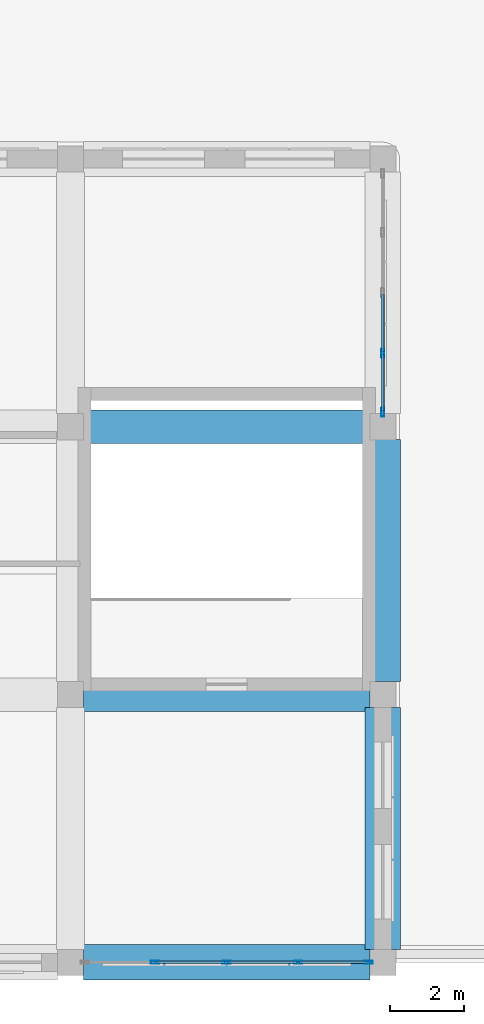
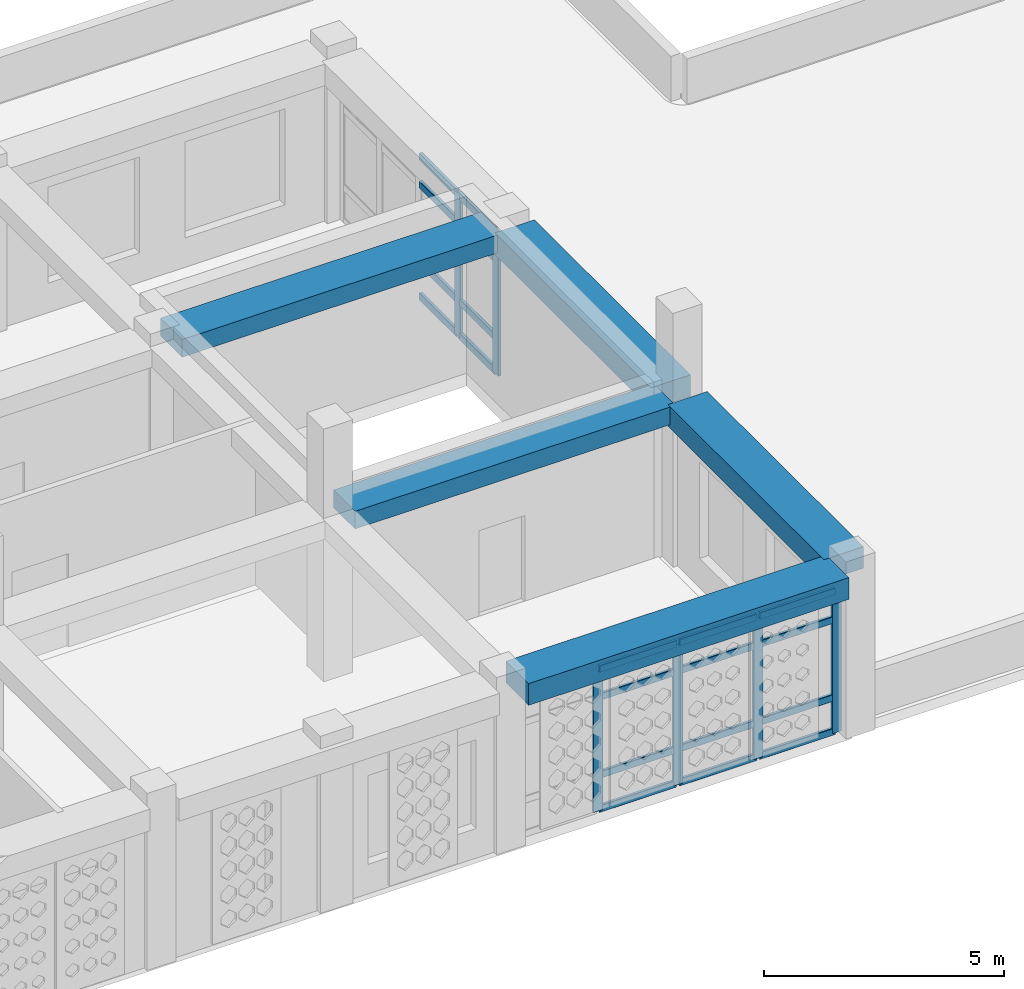
# One storey, part 38 of 100: 26 members, 5 beams, 2 elements without a shape of their own.
"""IFC4 building model written with IfcOpenShell, lengths in metres."""

from ifc_helpers import new_model, si_unit, derived_unit, direction, frame, origin, origin_2d, place, context, subcontext, project, spatial, rectangle, hollow_rectangle, extrude, material, material_profile, profile_set, type_object, element, aggregate, save


model = new_model("IFC4")

# Units and contexts
model_context = context("Model", 3, precision=1e-05, world=origin(), true_north=direction((0.0, 1.0)))
body_context = subcontext(model_context, "Body", "Model", "MODEL_VIEW")
ifc_project = project(units=[si_unit("LENGTHUNIT", "METRE"), si_unit("AREAUNIT", "SQUARE_METRE"), si_unit("VOLUMEUNIT", "CUBIC_METRE"), si_unit("PLANEANGLEUNIT", "RADIAN"), si_unit("MASSUNIT", "GRAM", prefix="KILO"), derived_unit("THERMALTRANSMITTANCEUNIT", [(si_unit("POWERUNIT", "WATT"), 1), (si_unit("LENGTHUNIT", "METRE"), -2), (si_unit("THERMODYNAMICTEMPERATUREUNIT", "KELVIN"), -1)])], contexts=[model_context])

# Site, building, storey
site_placement = place(None, origin())
site = spatial("IfcSite", under=ifc_project, at=site_placement, CompositionType="ELEMENT")
building_placement = place(site_placement, origin())
building = spatial("IfcBuilding", under=site, at=building_placement, Name="Veybourne Emporium", CompositionType="ELEMENT")
storey_placement = place(building_placement, frame((0.0, 0.0, 14.39990234375)))
storey = spatial("IfcBuildingStorey", under=building, at=storey_placement, Name="L03", CompositionType="ELEMENT", Elevation=14.39990234375)

# Curtain wall, members
ifc_material_1 = material(Name="Patinated Architectural Bronze", Category="bronze")
curtain_wall_type_1 = type_object("IfcCurtainWallType", Name="CWSystem_CWS-22", PredefinedType="NOTDEFINED", material=ifc_material_1)
curtain_wall_1_placement = place(storey_placement, origin())
curtain_wall_1 = element("IfcCurtainWall", 1, at=curtain_wall_1_placement, inside=storey, type_object=curtain_wall_type_1, Name="L03 bronze glazed curtain wall CWS-22 (066)", PredefinedType="NOTDEFINED")
ifc_material_profile_1 = material_profile(ifc_material_1, hollow_rectangle(XDim=0.074951171875, YDim=0.22998046875, WallThickness=0.0048828125, InnerFilletRadius=0.007568359375, OuterFilletRadius=0.012451171875, at=origin_2d()), Name="CWM 75x230x5")
ifc_profile_set_1 = profile_set([ifc_material_profile_1], Name="Patinated Architectural Bronze")
member_type_1 = type_object("IfcMemberType", Name="CWMullion_CW-M2", PredefinedType="MULLION", material=ifc_profile_set_1)
member_1_placement = place(storey_placement, frame((134.012451171875, 0.0, 0.0), z_axis=(0.0, 0.0, 1.0), x_axis=(0.0, -1.0, 0.0)))
member_1 = element("IfcMember", 2, at=member_1_placement, type_object=member_type_1, Name="CWS-22 mullion 1", PredefinedType="MULLION", context=body_context, shape_type="SweptSolid", body=[
    extrude(hollow_rectangle(XDim=0.074951171875, YDim=0.22998046875, WallThickness=0.0048828125, InnerFilletRadius=0.007568359375, OuterFilletRadius=0.012451171875, at=origin_2d()), origin(), (0.0, 0.0, 1.0), 3.630126953125),
])
member_2_placement = place(storey_placement, frame((132.125, 0.0, 0.0), z_axis=(0.0, 0.0, 1.0), x_axis=(0.0, -1.0, 0.0)))
member_2 = element("IfcMember", 3, at=member_2_placement, type_object=member_type_1, Name="CWS-22 mullion 2", PredefinedType="MULLION", context=body_context, shape_type="SweptSolid", body=[
    extrude(hollow_rectangle(XDim=0.074951171875, YDim=0.22998046875, WallThickness=0.0048828125, InnerFilletRadius=0.007568359375, OuterFilletRadius=0.012451171875, at=origin_2d()), origin(), (0.0, 0.0, 1.0), 3.630126953125),
])
member_3_placement = place(storey_placement, frame((130.199951171875, 0.0, 0.0), z_axis=(0.0, 0.0, 1.0), x_axis=(0.0, -1.0, 0.0)))
member_3 = element("IfcMember", 4, at=member_3_placement, type_object=member_type_1, Name="CWS-22 mullion 3", PredefinedType="MULLION", context=body_context, shape_type="SweptSolid", body=[
    extrude(hollow_rectangle(XDim=0.074951171875, YDim=0.22998046875, WallThickness=0.0048828125, InnerFilletRadius=0.007568359375, OuterFilletRadius=0.012451171875, at=origin_2d()), origin(), (0.0, 0.0, 1.0), 3.630126953125),
])
member_4_placement = place(storey_placement, frame((128.27490234375, 0.0, 0.0), z_axis=(0.0, 0.0, 1.0), x_axis=(0.0, -1.0, 0.0)))
member_4 = element("IfcMember", 5, at=member_4_placement, type_object=member_type_1, Name="CWS-22 mullion 4", PredefinedType="MULLION", context=body_context, shape_type="SweptSolid", body=[
    extrude(hollow_rectangle(XDim=0.074951171875, YDim=0.22998046875, WallThickness=0.0048828125, InnerFilletRadius=0.007568359375, OuterFilletRadius=0.012451171875, at=origin_2d()), origin(), (0.0, 0.0, 1.0), 3.630126953125),
])

curtain_wall_type_2 = type_object("IfcCurtainWallType", Name="CWSystem_CWS-23", PredefinedType="NOTDEFINED", material=ifc_material_1)
curtain_wall_2_placement = place(storey_placement, origin())
curtain_wall_2 = element("IfcCurtainWall", 6, at=curtain_wall_2_placement, inside=storey, type_object=curtain_wall_type_2, Name="L03 bronze glazed curtain wall CWS-23 (069)", PredefinedType="NOTDEFINED")
ifc_material_profile_2 = material_profile(ifc_material_1, hollow_rectangle(XDim=0.077880859375, YDim=0.235107421875, WallThickness=0.0048828125, InnerFilletRadius=0.007568359375, OuterFilletRadius=0.012451171875, at=origin_2d()), Name="CWM 78x235x5")
ifc_profile_set_2 = profile_set([ifc_material_profile_2], Name="Patinated Architectural Bronze")
member_type_2 = type_object("IfcMemberType", Name="CWMullion_CW-M3", PredefinedType="MULLION", material=ifc_profile_set_2)
member_5_placement = place(storey_placement, frame((134.39990234375, 16.375, 0.0), z_axis=(0.0, 0.0, 1.0), x_axis=(1.0, 0.0, 0.0)))
member_5 = element("IfcMember", 7, at=member_5_placement, type_object=member_type_2, Name="CWS-23 mullion 4", PredefinedType="MULLION", context=body_context, shape_type="SweptSolid", body=[
    extrude(hollow_rectangle(XDim=0.077880859375, YDim=0.235107421875, WallThickness=0.0048828125, InnerFilletRadius=0.007568359375, OuterFilletRadius=0.012451171875, at=origin_2d()), origin(), (0.0, 0.0, 1.0), 3.630126953125),
])
member_6_placement = place(storey_placement, frame((134.39990234375, 14.7890625, 0.0), z_axis=(0.0, 0.0, 1.0), x_axis=(1.0, 0.0, 0.0)))
member_6 = element("IfcMember", 8, at=member_6_placement, type_object=member_type_2, Name="CWS-23 mullion 5", PredefinedType="MULLION", context=body_context, shape_type="SweptSolid", body=[
    extrude(hollow_rectangle(XDim=0.077880859375, YDim=0.235107421875, WallThickness=0.0048828125, InnerFilletRadius=0.007568359375, OuterFilletRadius=0.012451171875, at=origin_2d()), origin(), (0.0, 0.0, 1.0), 3.630126953125),
])

# Member
ifc_material_profile_3 = material_profile(ifc_material_1, hollow_rectangle(XDim=0.074951171875, YDim=0.179931640625, WallThickness=0.0048828125, InnerFilletRadius=0.007568359375, OuterFilletRadius=0.012451171875, at=origin_2d()), Name="CWT 75x180x5")
ifc_profile_set_3 = profile_set([ifc_material_profile_3], Name="Patinated Architectural Bronze")
member_type_3 = type_object("IfcMemberType", Name="CWTransom_CW-T2", PredefinedType="NOTDEFINED", material=ifc_profile_set_3)
member_7_placement = place(storey_placement, frame((133.97509765625, 0.0, 0.03759765625), z_axis=(-1.0, 0.0, 0.0), x_axis=(0.0, -1.0, 0.0)))
member_7 = element("IfcMember", 9, at=member_7_placement, type_object=member_type_3, Name="CWS-22 transom 1.1", ObjectType="TRANSOM", PredefinedType="USERDEFINED", context=body_context, shape_type="SweptSolid", body=[
    extrude(hollow_rectangle(XDim=0.074951171875, YDim=0.179931640625, WallThickness=0.0048828125, InnerFilletRadius=0.007568359375, OuterFilletRadius=0.012451171875, at=origin_2d()), origin(), (0.0, 0.0, 1.0), 1.8125),
])

member_8_placement = place(storey_placement, frame((133.97509765625, 0.0, 0.900146484375), z_axis=(-1.0, 0.0, 0.0), x_axis=(0.0, -1.0, 0.0)))
member_8 = element("IfcMember", 10, at=member_8_placement, type_object=member_type_3, Name="CWS-22 transom 1.2", ObjectType="TRANSOM", PredefinedType="USERDEFINED", context=body_context, shape_type="SweptSolid", body=[
    extrude(hollow_rectangle(XDim=0.074951171875, YDim=0.179931640625, WallThickness=0.0048828125, InnerFilletRadius=0.007568359375, OuterFilletRadius=0.012451171875, at=origin_2d()), origin(), (0.0, 0.0, 1.0), 1.8125),
])

member_9_placement = place(storey_placement, frame((133.97509765625, 0.0, 2.880126953125), z_axis=(-1.0, 0.0, 0.0), x_axis=(0.0, -1.0, 0.0)))
member_9 = element("IfcMember", 11, at=member_9_placement, type_object=member_type_3, Name="CWS-22 transom 1.3", ObjectType="TRANSOM", PredefinedType="USERDEFINED", context=body_context, shape_type="SweptSolid", body=[
    extrude(hollow_rectangle(XDim=0.074951171875, YDim=0.179931640625, WallThickness=0.0048828125, InnerFilletRadius=0.007568359375, OuterFilletRadius=0.012451171875, at=origin_2d()), origin(), (0.0, 0.0, 1.0), 1.8125),
])

member_10_placement = place(storey_placement, frame((133.97509765625, 0.0, 3.592529296875), z_axis=(-1.0, 0.0, 0.0), x_axis=(0.0, -1.0, 0.0)))
member_10 = element("IfcMember", 12, at=member_10_placement, type_object=member_type_3, Name="CWS-22 transom 1.4", ObjectType="TRANSOM", PredefinedType="USERDEFINED", context=body_context, shape_type="SweptSolid", body=[
    extrude(hollow_rectangle(XDim=0.074951171875, YDim=0.179931640625, WallThickness=0.0048828125, InnerFilletRadius=0.007568359375, OuterFilletRadius=0.012451171875, at=origin_2d()), origin(), (0.0, 0.0, 1.0), 1.8125),
])

member_11_placement = place(storey_placement, frame((132.08740234375, 0.0, 0.03759765625), z_axis=(-1.0, 0.0, 0.0), x_axis=(0.0, -1.0, 0.0)))
member_11 = element("IfcMember", 13, at=member_11_placement, type_object=member_type_3, Name="CWS-22 transom 2.1", ObjectType="TRANSOM", PredefinedType="USERDEFINED", context=body_context, shape_type="SweptSolid", body=[
    extrude(hollow_rectangle(XDim=0.074951171875, YDim=0.179931640625, WallThickness=0.0048828125, InnerFilletRadius=0.007568359375, OuterFilletRadius=0.012451171875, at=origin_2d()), origin(), (0.0, 0.0, 1.0), 1.849853515625),
])

member_12_placement = place(storey_placement, frame((132.08740234375, 0.0, 0.900146484375), z_axis=(-1.0, 0.0, 0.0), x_axis=(0.0, -1.0, 0.0)))
member_12 = element("IfcMember", 14, at=member_12_placement, type_object=member_type_3, Name="CWS-22 transom 2.2", ObjectType="TRANSOM", PredefinedType="USERDEFINED", context=body_context, shape_type="SweptSolid", body=[
    extrude(hollow_rectangle(XDim=0.074951171875, YDim=0.179931640625, WallThickness=0.0048828125, InnerFilletRadius=0.007568359375, OuterFilletRadius=0.012451171875, at=origin_2d()), origin(), (0.0, 0.0, 1.0), 1.849853515625),
])

member_13_placement = place(storey_placement, frame((132.08740234375, 0.0, 2.880126953125), z_axis=(-1.0, 0.0, 0.0), x_axis=(0.0, -1.0, 0.0)))
member_13 = element("IfcMember", 15, at=member_13_placement, type_object=member_type_3, Name="CWS-22 transom 2.3", ObjectType="TRANSOM", PredefinedType="USERDEFINED", context=body_context, shape_type="SweptSolid", body=[
    extrude(hollow_rectangle(XDim=0.074951171875, YDim=0.179931640625, WallThickness=0.0048828125, InnerFilletRadius=0.007568359375, OuterFilletRadius=0.012451171875, at=origin_2d()), origin(), (0.0, 0.0, 1.0), 1.849853515625),
])

member_14_placement = place(storey_placement, frame((132.08740234375, 0.0, 3.592529296875), z_axis=(-1.0, 0.0, 0.0), x_axis=(0.0, -1.0, 0.0)))
member_14 = element("IfcMember", 16, at=member_14_placement, type_object=member_type_3, Name="CWS-22 transom 2.4", ObjectType="TRANSOM", PredefinedType="USERDEFINED", context=body_context, shape_type="SweptSolid", body=[
    extrude(hollow_rectangle(XDim=0.074951171875, YDim=0.179931640625, WallThickness=0.0048828125, InnerFilletRadius=0.007568359375, OuterFilletRadius=0.012451171875, at=origin_2d()), origin(), (0.0, 0.0, 1.0), 1.849853515625),
])

member_15_placement = place(storey_placement, frame((130.16259765625, 0.0, 0.03759765625), z_axis=(-1.0, 0.0, 0.0), x_axis=(0.0, -1.0, 0.0)))
member_15 = element("IfcMember", 17, at=member_15_placement, type_object=member_type_3, Name="CWS-22 transom 3.1", ObjectType="TRANSOM", PredefinedType="USERDEFINED", context=body_context, shape_type="SweptSolid", body=[
    extrude(hollow_rectangle(XDim=0.074951171875, YDim=0.179931640625, WallThickness=0.0048828125, InnerFilletRadius=0.007568359375, OuterFilletRadius=0.012451171875, at=origin_2d()), origin(), (0.0, 0.0, 1.0), 1.85009765625),
])

member_16_placement = place(storey_placement, frame((130.16259765625, 0.0, 0.900146484375), z_axis=(-1.0, 0.0, 0.0), x_axis=(0.0, -1.0, 0.0)))
member_16 = element("IfcMember", 18, at=member_16_placement, type_object=member_type_3, Name="CWS-22 transom 3.2", ObjectType="TRANSOM", PredefinedType="USERDEFINED", context=body_context, shape_type="SweptSolid", body=[
    extrude(hollow_rectangle(XDim=0.074951171875, YDim=0.179931640625, WallThickness=0.0048828125, InnerFilletRadius=0.007568359375, OuterFilletRadius=0.012451171875, at=origin_2d()), origin(), (0.0, 0.0, 1.0), 1.85009765625),
])

member_17_placement = place(storey_placement, frame((130.16259765625, 0.0, 2.880126953125), z_axis=(-1.0, 0.0, 0.0), x_axis=(0.0, -1.0, 0.0)))
member_17 = element("IfcMember", 19, at=member_17_placement, type_object=member_type_3, Name="CWS-22 transom 3.3", ObjectType="TRANSOM", PredefinedType="USERDEFINED", context=body_context, shape_type="SweptSolid", body=[
    extrude(hollow_rectangle(XDim=0.074951171875, YDim=0.179931640625, WallThickness=0.0048828125, InnerFilletRadius=0.007568359375, OuterFilletRadius=0.012451171875, at=origin_2d()), origin(), (0.0, 0.0, 1.0), 1.85009765625),
])

member_18_placement = place(storey_placement, frame((130.16259765625, 0.0, 3.592529296875), z_axis=(-1.0, 0.0, 0.0), x_axis=(0.0, -1.0, 0.0)))
member_18 = element("IfcMember", 20, at=member_18_placement, type_object=member_type_3, Name="CWS-22 transom 3.4", ObjectType="TRANSOM", PredefinedType="USERDEFINED", context=body_context, shape_type="SweptSolid", body=[
    extrude(hollow_rectangle(XDim=0.074951171875, YDim=0.179931640625, WallThickness=0.0048828125, InnerFilletRadius=0.007568359375, OuterFilletRadius=0.012451171875, at=origin_2d()), origin(), (0.0, 0.0, 1.0), 1.85009765625),
])

aggregate(curtain_wall_1, [member_1, member_2, member_3, member_4, member_7, member_8, member_9, member_10, member_11, member_12, member_13, member_14, member_15, member_16, member_17, member_18])

ifc_material_profile_4 = material_profile(ifc_material_1, hollow_rectangle(XDim=0.077880859375, YDim=0.18505859375, WallThickness=0.0048828125, InnerFilletRadius=0.007568359375, OuterFilletRadius=0.012451171875, at=origin_2d()), Name="CWT 78x185x5")
ifc_profile_set_4 = profile_set([ifc_material_profile_4], Name="Patinated Architectural Bronze")
member_type_4 = type_object("IfcMemberType", Name="CWTransom_CW-T3", PredefinedType="NOTDEFINED", material=ifc_profile_set_4)
member_19_placement = place(storey_placement, frame((134.39990234375, 17.9609375, 0.0390625), z_axis=(0.0, -1.0, 0.0), x_axis=(1.0, 0.0, 0.0)))
member_19 = element("IfcMember", 21, at=member_19_placement, type_object=member_type_4, Name="CWS-23 transom 3.1", ObjectType="TRANSOM", PredefinedType="USERDEFINED", context=body_context, shape_type="SweptSolid", body=[
    extrude(hollow_rectangle(XDim=0.077880859375, YDim=0.18505859375, WallThickness=0.0048828125, InnerFilletRadius=0.007568359375, OuterFilletRadius=0.012451171875, at=origin_2d()), origin(), (0.0, 0.0, 1.0), 1.546875),
])

member_20_placement = place(storey_placement, frame((134.39990234375, 17.9609375, 0.900146484375), z_axis=(0.0, -1.0, 0.0), x_axis=(1.0, 0.0, 0.0)))
member_20 = element("IfcMember", 22, at=member_20_placement, type_object=member_type_4, Name="CWS-23 transom 3.2", ObjectType="TRANSOM", PredefinedType="USERDEFINED", context=body_context, shape_type="SweptSolid", body=[
    extrude(hollow_rectangle(XDim=0.077880859375, YDim=0.18505859375, WallThickness=0.0048828125, InnerFilletRadius=0.007568359375, OuterFilletRadius=0.012451171875, at=origin_2d()), origin(), (0.0, 0.0, 1.0), 1.546875),
])

member_21_placement = place(storey_placement, frame((134.39990234375, 17.9609375, 2.880126953125), z_axis=(0.0, -1.0, 0.0), x_axis=(1.0, 0.0, 0.0)))
member_21 = element("IfcMember", 23, at=member_21_placement, type_object=member_type_4, Name="CWS-23 transom 3.3", ObjectType="TRANSOM", PredefinedType="USERDEFINED", context=body_context, shape_type="SweptSolid", body=[
    extrude(hollow_rectangle(XDim=0.077880859375, YDim=0.18505859375, WallThickness=0.0048828125, InnerFilletRadius=0.007568359375, OuterFilletRadius=0.012451171875, at=origin_2d()), origin(), (0.0, 0.0, 1.0), 1.546875),
])

member_22_placement = place(storey_placement, frame((134.39990234375, 17.9609375, 3.591064453125), z_axis=(0.0, -1.0, 0.0), x_axis=(1.0, 0.0, 0.0)))
member_22 = element("IfcMember", 24, at=member_22_placement, type_object=member_type_4, Name="CWS-23 transom 3.4", ObjectType="TRANSOM", PredefinedType="USERDEFINED", context=body_context, shape_type="SweptSolid", body=[
    extrude(hollow_rectangle(XDim=0.077880859375, YDim=0.18505859375, WallThickness=0.0048828125, InnerFilletRadius=0.007568359375, OuterFilletRadius=0.012451171875, at=origin_2d()), origin(), (0.0, 0.0, 1.0), 1.546875),
])

member_23_placement = place(storey_placement, frame((134.39990234375, 16.3359375, 0.0390625), z_axis=(0.0, -1.0, 0.0), x_axis=(1.0, 0.0, 0.0)))
member_23 = element("IfcMember", 25, at=member_23_placement, type_object=member_type_4, Name="CWS-23 transom 4.1", ObjectType="TRANSOM", PredefinedType="USERDEFINED", context=body_context, shape_type="SweptSolid", body=[
    extrude(hollow_rectangle(XDim=0.077880859375, YDim=0.18505859375, WallThickness=0.0048828125, InnerFilletRadius=0.007568359375, OuterFilletRadius=0.012451171875, at=origin_2d()), origin(), (0.0, 0.0, 1.0), 1.508056640625),
])

member_24_placement = place(storey_placement, frame((134.39990234375, 16.3359375, 0.900146484375), z_axis=(0.0, -1.0, 0.0), x_axis=(1.0, 0.0, 0.0)))
member_24 = element("IfcMember", 26, at=member_24_placement, type_object=member_type_4, Name="CWS-23 transom 4.2", ObjectType="TRANSOM", PredefinedType="USERDEFINED", context=body_context, shape_type="SweptSolid", body=[
    extrude(hollow_rectangle(XDim=0.077880859375, YDim=0.18505859375, WallThickness=0.0048828125, InnerFilletRadius=0.007568359375, OuterFilletRadius=0.012451171875, at=origin_2d()), origin(), (0.0, 0.0, 1.0), 1.508056640625),
])

member_25_placement = place(storey_placement, frame((134.39990234375, 16.3359375, 2.880126953125), z_axis=(0.0, -1.0, 0.0), x_axis=(1.0, 0.0, 0.0)))
member_25 = element("IfcMember", 27, at=member_25_placement, type_object=member_type_4, Name="CWS-23 transom 4.3", ObjectType="TRANSOM", PredefinedType="USERDEFINED", context=body_context, shape_type="SweptSolid", body=[
    extrude(hollow_rectangle(XDim=0.077880859375, YDim=0.18505859375, WallThickness=0.0048828125, InnerFilletRadius=0.007568359375, OuterFilletRadius=0.012451171875, at=origin_2d()), origin(), (0.0, 0.0, 1.0), 1.508056640625),
])

member_26_placement = place(storey_placement, frame((134.39990234375, 16.3359375, 3.591064453125), z_axis=(0.0, -1.0, 0.0), x_axis=(1.0, 0.0, 0.0)))
member_26 = element("IfcMember", 28, at=member_26_placement, type_object=member_type_4, Name="CWS-23 transom 4.4", ObjectType="TRANSOM", PredefinedType="USERDEFINED", context=body_context, shape_type="SweptSolid", body=[
    extrude(hollow_rectangle(XDim=0.077880859375, YDim=0.18505859375, WallThickness=0.0048828125, InnerFilletRadius=0.007568359375, OuterFilletRadius=0.012451171875, at=origin_2d()), origin(), (0.0, 0.0, 1.0), 1.508056640625),
])

aggregate(curtain_wall_2, [member_5, member_6, member_19, member_20, member_21, member_22, member_23, member_24, member_25, member_26])

# Beams
ifc_material_2 = material(Name="Concrete C32/40", Category="concrete")
ifc_material_profile_5 = material_profile(ifc_material_2, rectangle(XDim=0.89990234375, YDim=0.449951171875, at=origin_2d()), Name="RC 900x450")
ifc_profile_set_5 = profile_set([ifc_material_profile_5], Name="Concrete C32/40")
beam_type_1 = type_object("IfcBeamType", Name="RCBeam_BB-03", PredefinedType="BEAM", material=ifc_profile_set_5)
for number, where, z_axis, x_axis, name in (
    (29, (126.35009765625, 7.199951171875, 3.955078125), (1.0, 0.0, 0.0), (0.0, 1.0, 0.0), "L03 X-grid beam BB-03 (15,1)"),
    (30, (126.35009765625, 14.39990234375, 3.955078125), (1.0, 0.0, 0.0), (0.0, 1.0, 0.0), "L03 X-grid beam BB-03 (15,2)"),
):
    element("IfcBeam", number, at=place(storey_placement, frame(where, z_axis=z_axis, x_axis=x_axis)), inside=storey, type_object=beam_type_1, Name=name, PredefinedType="BEAM", context=body_context, shape_type="SweptSolid", body=[
        extrude(rectangle(XDim=0.89990234375, YDim=0.449951171875, at=origin_2d()), origin(), (0.0, 0.0, 1.0), 7.699951171875),
    ])
ifc_material_profile_6 = material_profile(ifc_material_2, rectangle(XDim=0.949951171875, YDim=0.550048828125, at=origin_2d()), Name="RC 950x550")
ifc_profile_set_6 = profile_set([ifc_material_profile_6], Name="Concrete C32/40")
beam_type_2 = type_object("IfcBeamType", Name="RCBeam_EB-01", PredefinedType="SPANDREL", material=ifc_profile_set_6)
beam_placement = place(storey_placement, frame((126.35009765625, 0.0, 3.905029296875), z_axis=(1.0, 0.0, 0.0), x_axis=(0.0, 1.0, 0.0)))
element("IfcBeam", 31, at=beam_placement, inside=storey, type_object=beam_type_2, Name="L03 X-grid beam EB-01 (15,0)", PredefinedType="SPANDREL", context=body_context, shape_type="SweptSolid", body=[
    extrude(rectangle(XDim=0.949951171875, YDim=0.550048828125, at=origin_2d()), origin(), (0.0, 0.0, 1.0), 7.699951171875),
])
for number, where, z_axis, x_axis, name in (
    (32, (134.39990234375, 0.35009765625, 3.905029296875), (0.0, 1.0, 0.0), (-1.0, 0.0, 0.0), "L03 Y-grid beam EB-01 (16,0)"),
    (33, (134.39990234375, 7.550048828125, 3.905029296875), (0.0, 1.0, 0.0), (-1.0, 0.0, 0.0), "L03 Y-grid beam EB-01 (16,1)"),
):
    element("IfcBeam", number, at=place(storey_placement, frame(where, z_axis=z_axis, x_axis=x_axis)), inside=storey, type_object=beam_type_2, Name=name, PredefinedType="SPANDREL", context=body_context, shape_type="SweptSolid", body=[
        extrude(rectangle(XDim=0.949951171875, YDim=0.550048828125, at=origin_2d()), origin(), (0.0, 0.0, 1.0), 6.5),
    ])

save(model, "model.ifc")
